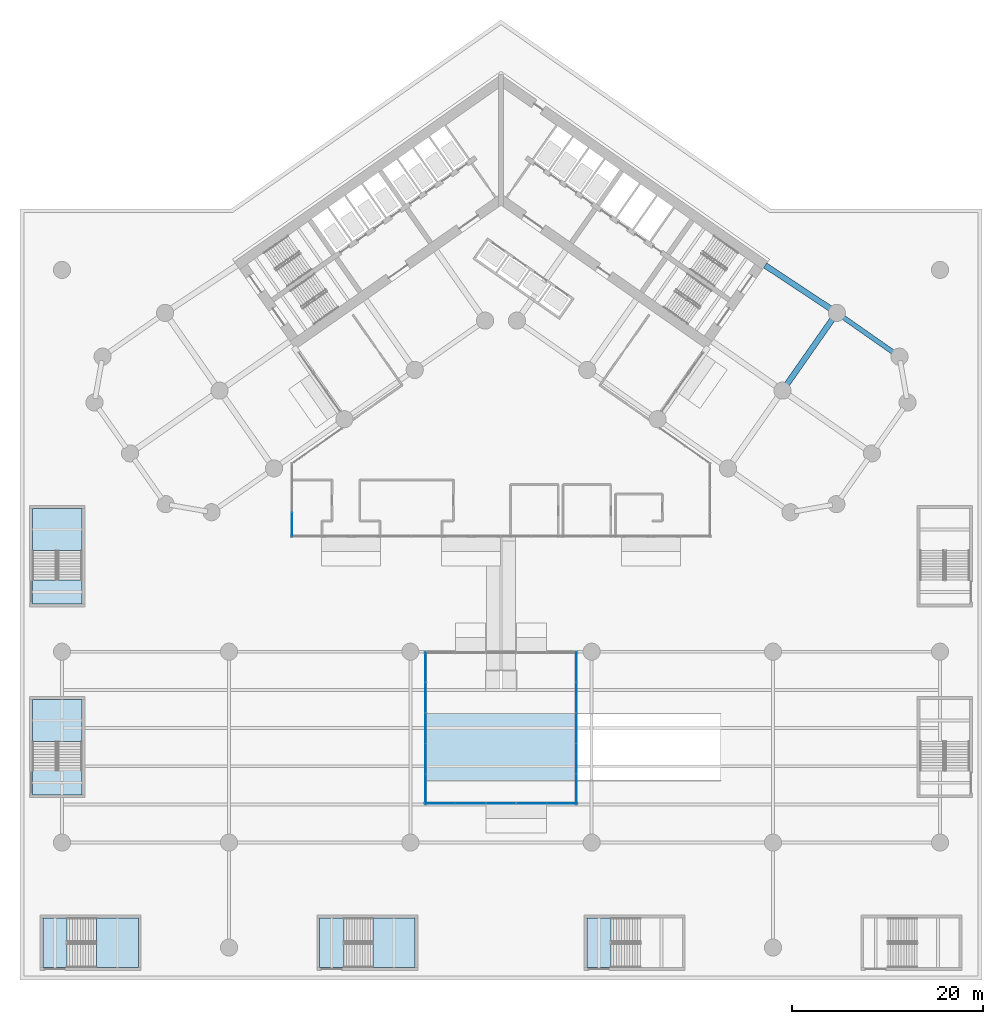
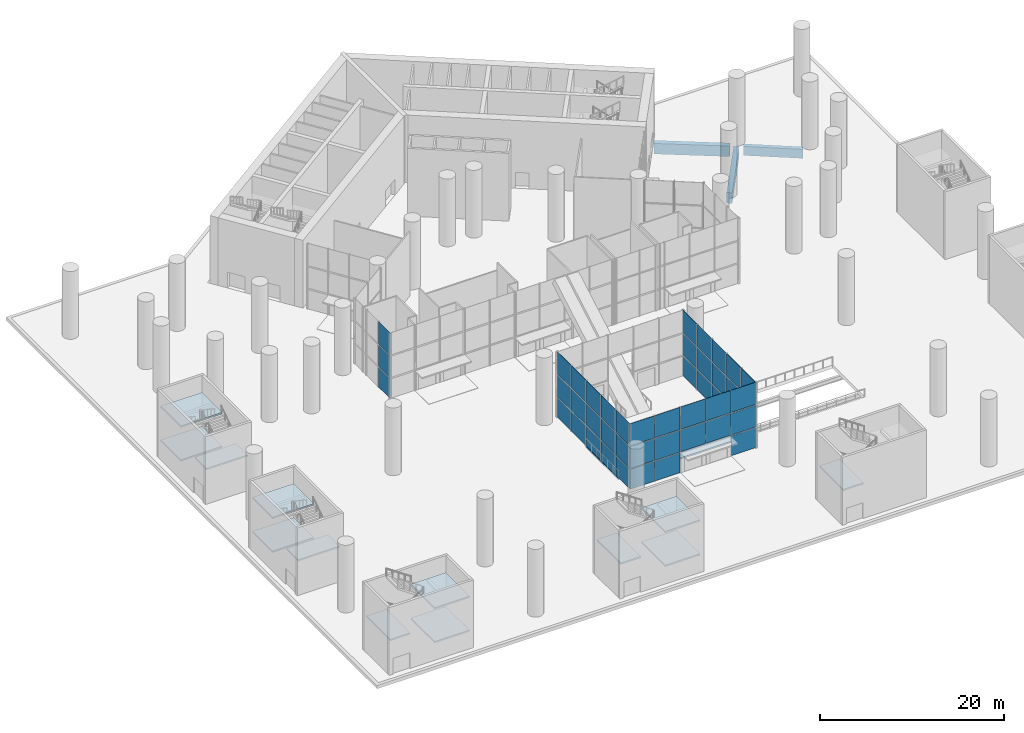
# One storey, part 13 of 37: 46 plates, 14 slabs, 3 beams, 9 elements without a shape of their own.
"""IFC4 building model written with IfcOpenShell, lengths in metres."""

from ifc_helpers import new_model, si_unit, direction, frame, origin, origin_2d, place, context, subcontext, project, spatial, polyline, rectangle, outline, extrude, material, layer, layer_set, material_profile, profile_set, type_object, element, aggregate, save


model = new_model("IFC4")

# Units and contexts
model_context = context("Model", 3, precision=1e-05, world=origin(), true_north=direction((0.0, 1.0)))
body_context = subcontext(model_context, "Body", "Model", "MODEL_VIEW")
ifc_project = project(units=[si_unit("LENGTHUNIT", "METRE"), si_unit("AREAUNIT", "SQUARE_METRE"), si_unit("VOLUMEUNIT", "CUBIC_METRE"), si_unit("PLANEANGLEUNIT", "RADIAN"), si_unit("MASSUNIT", "GRAM", prefix="KILO")], contexts=[model_context])

# Site, building, storey
site_placement = place(None, origin())
site = spatial("IfcSite", under=ifc_project, at=site_placement, CompositionType="ELEMENT")
building_placement = place(site_placement, origin())
building = spatial("IfcBuilding", under=site, at=building_placement, Name="Tel Ilan Convention Tower", CompositionType="ELEMENT")
storey_placement = place(building_placement, origin())
storey = spatial("IfcBuildingStorey", under=building, at=storey_placement, Name="L00", CompositionType="ELEMENT", Elevation=0.0)

# Beams
ifc_material_1 = material(Name="Concrete C40/50", Category="concrete")
ifc_material_profile_1 = material_profile(ifc_material_1, rectangle(XDim=0.5, YDim=1.199951171875, at=origin_2d()), Name="RC 500x1200")
ifc_profile_set_1 = profile_set([ifc_material_profile_1], Name="Concrete C40/50")
beam_type_1 = type_object("IfcBeamType", Name="Beam RC 500x1200 Concrete C40/50", PredefinedType="BEAM", material=ifc_profile_set_1)
beam_1_placement = place(storey_placement, frame((41.135498046875, -16.656494140625, -1.050048828125), z_axis=(-0.819178980414, 0.573537965655, 0.0), x_axis=(-0.573537965655, -0.819178980414, 0.0)))
element("IfcBeam", 1, at=beam_1_placement, inside=storey, type_object=beam_type_1, Name="L00 beam E-E-BC-E-B4", PredefinedType="BEAM", context=body_context, shape_type="SweptSolid", body=[
    extrude(rectangle(XDim=0.5, YDim=1.199951171875, at=origin_2d()), origin(), (0.0, 0.0, 1.0), 6.5),
])
ifc_material_2 = material(Name="Concrete C40/50", Category="concrete")
ifc_material_profile_2 = material_profile(ifc_material_2, rectangle(XDim=0.60009765625, YDim=1.39990234375, at=origin_2d()), Name="RC 600x1400")
ifc_profile_set_2 = profile_set([ifc_material_profile_2], Name="Concrete C40/50")
beam_type_2 = type_object("IfcBeamType", Name="Beam RC 600x1400 Concrete C40/50", PredefinedType="BEAM", material=ifc_profile_set_2)
beam_2_placement = place(storey_placement, frame((34.570556640625, -12.08447265625, -1.14990234375), z_axis=(-0.834273603487, 0.551350663847, 0.0), x_axis=(-0.551350663847, -0.834273603487, 0.0)))
element("IfcBeam", 2, at=beam_2_placement, inside=storey, type_object=beam_type_2, Name="L00 beam E-E-B4-core", PredefinedType="BEAM", context=body_context, shape_type="SweptSolid", body=[
    extrude(rectangle(XDim=0.60009765625, YDim=1.39990234375, at=origin_2d()), origin(), (0.0, 0.0, 1.0), 8.2529296875),
])
beam_3_placement = place(storey_placement, frame((29.9482421875, -19.993408203125, -1.14990234375), z_axis=(0.573577127921, 0.819151560046, 0.0), x_axis=(-0.819151560046, 0.573577127921, 0.0)))
element("IfcBeam", 3, at=beam_3_placement, inside=storey, type_object=beam_type_2, Name="L00 beam E-E-M4-E-B4", PredefinedType="BEAM", context=body_context, shape_type="SweptSolid", body=[
    extrude(rectangle(XDim=0.60009765625, YDim=1.39990234375, at=origin_2d()), origin(), (0.0, 0.0, 1.0), 8.85009765625),
])

# Curtain wall, plates
ifc_material_3 = material(Name="Aluminium, bronze anodised", Category="aluminium")
curtain_wall_type = type_object("IfcCurtainWallType", Name="CW6 LOBBY PAVILION CURTAIN WALL, CLEAR GLASS", PredefinedType="NOTDEFINED", material=ifc_material_3)
curtain_wall_1_placement = place(storey_placement, origin())
curtain_wall_1 = element("IfcCurtainWall", 4, at=curtain_wall_1_placement, inside=storey, type_object=curtain_wall_type, Name="Curtain wall CW6-03.01", PredefinedType="NOTDEFINED")
ifc_material_4 = material(Name="Glass, clear, two-ply", Category="glass")
ifc_layer_1 = layer(ifc_material_4, 0.028076171875)
ifc_layer_set_1 = layer_set([ifc_layer_1], Name="CW FOYER GLASS PANEL 28")
plate_type = type_object("IfcPlateType", Name="CW FOYER GLASS PANEL 28", PredefinedType="CURTAIN_PANEL", material=ifc_layer_set_1)
plate_1_placement = place(storey_placement, frame((-21.89990234375, -34.703857421875, 0.0), z_axis=(0.0, 0.0, 1.0), x_axis=(0.0, 1.0, 0.0)))
plate_1 = element("IfcPlate", 5, at=plate_1_placement, type_object=plate_type, Name="Glass panel", PredefinedType="CURTAIN_PANEL", context=body_context, shape_type="SweptSolid", body=[
    extrude(rectangle(XDim=2.532470703125, YDim=0.028076171875, at=origin_2d()), origin(), (0.0, 0.0, 1.0), 2.639892578125),
])
plate_2_placement = place(storey_placement, frame((-21.89990234375, -34.703857421875, 2.760009765625), z_axis=(0.0, 0.0, 1.0), x_axis=(0.0, 1.0, 0.0)))
plate_2 = element("IfcPlate", 6, at=plate_2_placement, type_object=plate_type, Name="Glass panel", PredefinedType="CURTAIN_PANEL", context=body_context, shape_type="SweptSolid", body=[
    extrude(rectangle(XDim=2.532470703125, YDim=0.028076171875, at=origin_2d()), origin(), (0.0, 0.0, 1.0), 2.8798828125),
])
plate_3_placement = place(storey_placement, frame((-21.89990234375, -34.703857421875, 5.760009765625), z_axis=(0.0, 0.0, 1.0), x_axis=(0.0, 1.0, 0.0)))
plate_3 = element("IfcPlate", 7, at=plate_3_placement, type_object=plate_type, Name="Glass panel", PredefinedType="CURTAIN_PANEL", context=body_context, shape_type="SweptSolid", body=[
    extrude(rectangle(XDim=2.532470703125, YDim=0.028076171875, at=origin_2d()), origin(), (0.0, 0.0, 1.0), 2.9599609375),
])
aggregate(curtain_wall_1, [plate_1, plate_2, plate_3])

curtain_wall_2_placement = place(storey_placement, origin())
curtain_wall_2 = element("IfcCurtainWall", 8, at=curtain_wall_2_placement, inside=storey, type_object=curtain_wall_type, Name="Curtain wall CW6-03.08", PredefinedType="NOTDEFINED")
plate_4_placement = place(storey_placement, frame((7.89990234375, -62.39990234375, 0.0), z_axis=(0.0, 0.0, 1.0), x_axis=(0.0, 1.0, 0.0)))
plate_4 = element("IfcPlate", 9, at=plate_4_placement, type_object=plate_type, Name="Glass panel", PredefinedType="CURTAIN_PANEL", context=body_context, shape_type="SweptSolid", body=[
    extrude(rectangle(XDim=3.139892578125, YDim=0.028076171875, at=origin_2d()), origin(), (0.0, 0.0, 1.0), 2.639892578125),
])
plate_5_placement = place(storey_placement, frame((7.89990234375, -62.39990234375, 2.760009765625), z_axis=(0.0, 0.0, 1.0), x_axis=(0.0, 1.0, 0.0)))
plate_5 = element("IfcPlate", 10, at=plate_5_placement, type_object=plate_type, Name="Glass panel", PredefinedType="CURTAIN_PANEL", context=body_context, shape_type="SweptSolid", body=[
    extrude(rectangle(XDim=3.139892578125, YDim=0.028076171875, at=origin_2d()), origin(), (0.0, 0.0, 1.0), 2.8798828125),
])
plate_6_placement = place(storey_placement, frame((7.89990234375, -62.39990234375, 5.760009765625), z_axis=(0.0, 0.0, 1.0), x_axis=(0.0, 1.0, 0.0)))
plate_6 = element("IfcPlate", 11, at=plate_6_placement, type_object=plate_type, Name="Glass panel", PredefinedType="CURTAIN_PANEL", context=body_context, shape_type="SweptSolid", body=[
    extrude(rectangle(XDim=3.139892578125, YDim=0.028076171875, at=origin_2d()), origin(), (0.0, 0.0, 1.0), 2.9599609375),
])
plate_7_placement = place(storey_placement, frame((7.89990234375, -59.199951171875, 0.0), z_axis=(0.0, 0.0, 1.0), x_axis=(0.0, 1.0, 0.0)))
plate_7 = element("IfcPlate", 12, at=plate_7_placement, type_object=plate_type, Name="Glass panel", PredefinedType="CURTAIN_PANEL", context=body_context, shape_type="SweptSolid", body=[
    extrude(rectangle(XDim=3.139892578125, YDim=0.028076171875, at=origin_2d()), origin(), (0.0, 0.0, 1.0), 2.639892578125),
])
plate_8_placement = place(storey_placement, frame((7.89990234375, -59.199951171875, 2.760009765625), z_axis=(0.0, 0.0, 1.0), x_axis=(0.0, 1.0, 0.0)))
plate_8 = element("IfcPlate", 13, at=plate_8_placement, type_object=plate_type, Name="Glass panel", PredefinedType="CURTAIN_PANEL", context=body_context, shape_type="SweptSolid", body=[
    extrude(rectangle(XDim=3.139892578125, YDim=0.028076171875, at=origin_2d()), origin(), (0.0, 0.0, 1.0), 2.8798828125),
])
plate_9_placement = place(storey_placement, frame((7.89990234375, -59.199951171875, 5.760009765625), z_axis=(0.0, 0.0, 1.0), x_axis=(0.0, 1.0, 0.0)))
plate_9 = element("IfcPlate", 14, at=plate_9_placement, type_object=plate_type, Name="Glass panel", PredefinedType="CURTAIN_PANEL", context=body_context, shape_type="SweptSolid", body=[
    extrude(rectangle(XDim=3.139892578125, YDim=0.028076171875, at=origin_2d()), origin(), (0.0, 0.0, 1.0), 2.9599609375),
])
plate_10_placement = place(storey_placement, frame((7.89990234375, -56.0, 0.0), z_axis=(0.0, 0.0, 1.0), x_axis=(0.0, 1.0, 0.0)))
plate_10 = element("IfcPlate", 15, at=plate_10_placement, type_object=plate_type, Name="Glass panel", PredefinedType="CURTAIN_PANEL", context=body_context, shape_type="SweptSolid", body=[
    extrude(rectangle(XDim=3.139892578125, YDim=0.028076171875, at=origin_2d()), origin(), (0.0, 0.0, 1.0), 2.639892578125),
])
plate_11_placement = place(storey_placement, frame((7.89990234375, -56.0, 2.760009765625), z_axis=(0.0, 0.0, 1.0), x_axis=(0.0, 1.0, 0.0)))
plate_11 = element("IfcPlate", 16, at=plate_11_placement, type_object=plate_type, Name="Glass panel", PredefinedType="CURTAIN_PANEL", context=body_context, shape_type="SweptSolid", body=[
    extrude(rectangle(XDim=3.139892578125, YDim=0.028076171875, at=origin_2d()), origin(), (0.0, 0.0, 1.0), 2.8798828125),
])
plate_12_placement = place(storey_placement, frame((7.89990234375, -56.0, 5.760009765625), z_axis=(0.0, 0.0, 1.0), x_axis=(0.0, 1.0, 0.0)))
plate_12 = element("IfcPlate", 17, at=plate_12_placement, type_object=plate_type, Name="Glass panel", PredefinedType="CURTAIN_PANEL", context=body_context, shape_type="SweptSolid", body=[
    extrude(rectangle(XDim=3.139892578125, YDim=0.028076171875, at=origin_2d()), origin(), (0.0, 0.0, 1.0), 2.9599609375),
])
plate_13_placement = place(storey_placement, frame((7.89990234375, -52.800048828125, 0.0), z_axis=(0.0, 0.0, 1.0), x_axis=(0.0, 1.0, 0.0)))
plate_13 = element("IfcPlate", 18, at=plate_13_placement, type_object=plate_type, Name="Glass panel", PredefinedType="CURTAIN_PANEL", context=body_context, shape_type="SweptSolid", body=[
    extrude(rectangle(XDim=3.139892578125, YDim=0.028076171875, at=origin_2d()), origin(), (0.0, 0.0, 1.0), 2.639892578125),
])
plate_14_placement = place(storey_placement, frame((7.89990234375, -52.800048828125, 2.760009765625), z_axis=(0.0, 0.0, 1.0), x_axis=(0.0, 1.0, 0.0)))
plate_14 = element("IfcPlate", 19, at=plate_14_placement, type_object=plate_type, Name="Glass panel", PredefinedType="CURTAIN_PANEL", context=body_context, shape_type="SweptSolid", body=[
    extrude(rectangle(XDim=3.139892578125, YDim=0.028076171875, at=origin_2d()), origin(), (0.0, 0.0, 1.0), 2.8798828125),
])
plate_15_placement = place(storey_placement, frame((7.89990234375, -52.800048828125, 5.760009765625), z_axis=(0.0, 0.0, 1.0), x_axis=(0.0, 1.0, 0.0)))
plate_15 = element("IfcPlate", 20, at=plate_15_placement, type_object=plate_type, Name="Glass panel", PredefinedType="CURTAIN_PANEL", context=body_context, shape_type="SweptSolid", body=[
    extrude(rectangle(XDim=3.139892578125, YDim=0.028076171875, at=origin_2d()), origin(), (0.0, 0.0, 1.0), 2.9599609375),
])
plate_16_placement = place(storey_placement, frame((7.89990234375, -49.60009765625, 0.0), z_axis=(0.0, 0.0, 1.0), x_axis=(0.0, 1.0, 0.0)))
plate_16 = element("IfcPlate", 21, at=plate_16_placement, type_object=plate_type, Name="Glass panel", PredefinedType="CURTAIN_PANEL", context=body_context, shape_type="SweptSolid", body=[
    extrude(rectangle(XDim=3.139892578125, YDim=0.028076171875, at=origin_2d()), origin(), (0.0, 0.0, 1.0), 2.639892578125),
])
plate_17_placement = place(storey_placement, frame((7.89990234375, -49.60009765625, 2.760009765625), z_axis=(0.0, 0.0, 1.0), x_axis=(0.0, 1.0, 0.0)))
plate_17 = element("IfcPlate", 22, at=plate_17_placement, type_object=plate_type, Name="Glass panel", PredefinedType="CURTAIN_PANEL", context=body_context, shape_type="SweptSolid", body=[
    extrude(rectangle(XDim=3.139892578125, YDim=0.028076171875, at=origin_2d()), origin(), (0.0, 0.0, 1.0), 2.8798828125),
])
plate_18_placement = place(storey_placement, frame((7.89990234375, -49.60009765625, 5.760009765625), z_axis=(0.0, 0.0, 1.0), x_axis=(0.0, 1.0, 0.0)))
plate_18 = element("IfcPlate", 23, at=plate_18_placement, type_object=plate_type, Name="Glass panel", PredefinedType="CURTAIN_PANEL", context=body_context, shape_type="SweptSolid", body=[
    extrude(rectangle(XDim=3.139892578125, YDim=0.028076171875, at=origin_2d()), origin(), (0.0, 0.0, 1.0), 2.9599609375),
])
aggregate(curtain_wall_2, [plate_4, plate_5, plate_6, plate_7, plate_8, plate_9, plate_10, plate_11, plate_12, plate_13, plate_14, plate_15, plate_16, plate_17, plate_18])

curtain_wall_3_placement = place(storey_placement, origin())
curtain_wall_3 = element("IfcCurtainWall", 24, at=curtain_wall_3_placement, inside=storey, type_object=curtain_wall_type, Name="Curtain wall CW6-03.10", PredefinedType="NOTDEFINED")
plate_19_placement = place(storey_placement, frame((-7.89990234375, -49.60009765625, 0.0), z_axis=(0.0, 0.0, 1.0), x_axis=(0.0, -1.0, 0.0)))
plate_19 = element("IfcPlate", 25, at=plate_19_placement, type_object=plate_type, Name="Glass panel", PredefinedType="CURTAIN_PANEL", context=body_context, shape_type="SweptSolid", body=[
    extrude(rectangle(XDim=3.139892578125, YDim=0.028076171875, at=origin_2d()), origin(), (0.0, 0.0, 1.0), 2.639892578125),
])
plate_20_placement = place(storey_placement, frame((-7.89990234375, -49.60009765625, 2.760009765625), z_axis=(0.0, 0.0, 1.0), x_axis=(0.0, -1.0, 0.0)))
plate_20 = element("IfcPlate", 26, at=plate_20_placement, type_object=plate_type, Name="Glass panel", PredefinedType="CURTAIN_PANEL", context=body_context, shape_type="SweptSolid", body=[
    extrude(rectangle(XDim=3.139892578125, YDim=0.028076171875, at=origin_2d()), origin(), (0.0, 0.0, 1.0), 2.8798828125),
])
plate_21_placement = place(storey_placement, frame((-7.89990234375, -49.60009765625, 5.760009765625), z_axis=(0.0, 0.0, 1.0), x_axis=(0.0, -1.0, 0.0)))
plate_21 = element("IfcPlate", 27, at=plate_21_placement, type_object=plate_type, Name="Glass panel", PredefinedType="CURTAIN_PANEL", context=body_context, shape_type="SweptSolid", body=[
    extrude(rectangle(XDim=3.139892578125, YDim=0.028076171875, at=origin_2d()), origin(), (0.0, 0.0, 1.0), 2.9599609375),
])
plate_22_placement = place(storey_placement, frame((-7.89990234375, -52.800048828125, 0.0), z_axis=(0.0, 0.0, 1.0), x_axis=(0.0, -1.0, 0.0)))
plate_22 = element("IfcPlate", 28, at=plate_22_placement, type_object=plate_type, Name="Glass panel", PredefinedType="CURTAIN_PANEL", context=body_context, shape_type="SweptSolid", body=[
    extrude(rectangle(XDim=3.139892578125, YDim=0.028076171875, at=origin_2d()), origin(), (0.0, 0.0, 1.0), 2.639892578125),
])
plate_23_placement = place(storey_placement, frame((-7.89990234375, -52.800048828125, 2.760009765625), z_axis=(0.0, 0.0, 1.0), x_axis=(0.0, -1.0, 0.0)))
plate_23 = element("IfcPlate", 29, at=plate_23_placement, type_object=plate_type, Name="Glass panel", PredefinedType="CURTAIN_PANEL", context=body_context, shape_type="SweptSolid", body=[
    extrude(rectangle(XDim=3.139892578125, YDim=0.028076171875, at=origin_2d()), origin(), (0.0, 0.0, 1.0), 2.8798828125),
])
plate_24_placement = place(storey_placement, frame((-7.89990234375, -52.800048828125, 5.760009765625), z_axis=(0.0, 0.0, 1.0), x_axis=(0.0, -1.0, 0.0)))
plate_24 = element("IfcPlate", 30, at=plate_24_placement, type_object=plate_type, Name="Glass panel", PredefinedType="CURTAIN_PANEL", context=body_context, shape_type="SweptSolid", body=[
    extrude(rectangle(XDim=3.139892578125, YDim=0.028076171875, at=origin_2d()), origin(), (0.0, 0.0, 1.0), 2.9599609375),
])
plate_25_placement = place(storey_placement, frame((-7.89990234375, -56.0, 0.0), z_axis=(0.0, 0.0, 1.0), x_axis=(0.0, -1.0, 0.0)))
plate_25 = element("IfcPlate", 31, at=plate_25_placement, type_object=plate_type, Name="Glass panel", PredefinedType="CURTAIN_PANEL", context=body_context, shape_type="SweptSolid", body=[
    extrude(rectangle(XDim=3.139892578125, YDim=0.028076171875, at=origin_2d()), origin(), (0.0, 0.0, 1.0), 2.639892578125),
])
plate_26_placement = place(storey_placement, frame((-7.89990234375, -56.0, 2.760009765625), z_axis=(0.0, 0.0, 1.0), x_axis=(0.0, -1.0, 0.0)))
plate_26 = element("IfcPlate", 32, at=plate_26_placement, type_object=plate_type, Name="Glass panel", PredefinedType="CURTAIN_PANEL", context=body_context, shape_type="SweptSolid", body=[
    extrude(rectangle(XDim=3.139892578125, YDim=0.028076171875, at=origin_2d()), origin(), (0.0, 0.0, 1.0), 2.8798828125),
])
plate_27_placement = place(storey_placement, frame((-7.89990234375, -56.0, 5.760009765625), z_axis=(0.0, 0.0, 1.0), x_axis=(0.0, -1.0, 0.0)))
plate_27 = element("IfcPlate", 33, at=plate_27_placement, type_object=plate_type, Name="Glass panel", PredefinedType="CURTAIN_PANEL", context=body_context, shape_type="SweptSolid", body=[
    extrude(rectangle(XDim=3.139892578125, YDim=0.028076171875, at=origin_2d()), origin(), (0.0, 0.0, 1.0), 2.9599609375),
])
plate_28_placement = place(storey_placement, frame((-7.89990234375, -59.199951171875, 0.0), z_axis=(0.0, 0.0, 1.0), x_axis=(0.0, -1.0, 0.0)))
plate_28 = element("IfcPlate", 34, at=plate_28_placement, type_object=plate_type, Name="Glass panel", PredefinedType="CURTAIN_PANEL", context=body_context, shape_type="SweptSolid", body=[
    extrude(rectangle(XDim=3.139892578125, YDim=0.028076171875, at=origin_2d()), origin(), (0.0, 0.0, 1.0), 2.639892578125),
])
plate_29_placement = place(storey_placement, frame((-7.89990234375, -59.199951171875, 2.760009765625), z_axis=(0.0, 0.0, 1.0), x_axis=(0.0, -1.0, 0.0)))
plate_29 = element("IfcPlate", 35, at=plate_29_placement, type_object=plate_type, Name="Glass panel", PredefinedType="CURTAIN_PANEL", context=body_context, shape_type="SweptSolid", body=[
    extrude(rectangle(XDim=3.139892578125, YDim=0.028076171875, at=origin_2d()), origin(), (0.0, 0.0, 1.0), 2.8798828125),
])
plate_30_placement = place(storey_placement, frame((-7.89990234375, -59.199951171875, 5.760009765625), z_axis=(0.0, 0.0, 1.0), x_axis=(0.0, -1.0, 0.0)))
plate_30 = element("IfcPlate", 36, at=plate_30_placement, type_object=plate_type, Name="Glass panel", PredefinedType="CURTAIN_PANEL", context=body_context, shape_type="SweptSolid", body=[
    extrude(rectangle(XDim=3.139892578125, YDim=0.028076171875, at=origin_2d()), origin(), (0.0, 0.0, 1.0), 2.9599609375),
])
plate_31_placement = place(storey_placement, frame((-7.89990234375, -62.39990234375, 0.0), z_axis=(0.0, 0.0, 1.0), x_axis=(0.0, -1.0, 0.0)))
plate_31 = element("IfcPlate", 37, at=plate_31_placement, type_object=plate_type, Name="Glass panel", PredefinedType="CURTAIN_PANEL", context=body_context, shape_type="SweptSolid", body=[
    extrude(rectangle(XDim=3.139892578125, YDim=0.028076171875, at=origin_2d()), origin(), (0.0, 0.0, 1.0), 2.639892578125),
])
plate_32_placement = place(storey_placement, frame((-7.89990234375, -62.39990234375, 2.760009765625), z_axis=(0.0, 0.0, 1.0), x_axis=(0.0, -1.0, 0.0)))
plate_32 = element("IfcPlate", 38, at=plate_32_placement, type_object=plate_type, Name="Glass panel", PredefinedType="CURTAIN_PANEL", context=body_context, shape_type="SweptSolid", body=[
    extrude(rectangle(XDim=3.139892578125, YDim=0.028076171875, at=origin_2d()), origin(), (0.0, 0.0, 1.0), 2.8798828125),
])
plate_33_placement = place(storey_placement, frame((-7.89990234375, -62.39990234375, 5.760009765625), z_axis=(0.0, 0.0, 1.0), x_axis=(0.0, -1.0, 0.0)))
plate_33 = element("IfcPlate", 39, at=plate_33_placement, type_object=plate_type, Name="Glass panel", PredefinedType="CURTAIN_PANEL", context=body_context, shape_type="SweptSolid", body=[
    extrude(rectangle(XDim=3.139892578125, YDim=0.028076171875, at=origin_2d()), origin(), (0.0, 0.0, 1.0), 2.9599609375),
])
aggregate(curtain_wall_3, [plate_19, plate_20, plate_21, plate_22, plate_23, plate_24, plate_25, plate_26, plate_27, plate_28, plate_29, plate_30, plate_31, plate_32, plate_33])

curtain_wall_4_placement = place(storey_placement, origin())
curtain_wall_4 = element("IfcCurtainWall", 40, at=curtain_wall_4_placement, inside=storey, type_object=curtain_wall_type, Name="Curtain wall CW6-03.11", PredefinedType="NOTDEFINED")
plate_34_placement = place(storey_placement, frame((-6.39990234375, -63.89990234375, 0.0), z_axis=(0.0, 0.0, 1.0), x_axis=(1.0, 0.0, 0.0)))
plate_34 = element("IfcPlate", 41, at=plate_34_placement, type_object=plate_type, Name="Glass panel", PredefinedType="CURTAIN_PANEL", context=body_context, shape_type="SweptSolid", body=[
    extrude(rectangle(XDim=3.139892578125, YDim=0.028076171875, at=origin_2d()), origin(), (0.0, 0.0, 1.0), 2.639892578125),
])
plate_35_placement = place(storey_placement, frame((-6.39990234375, -63.89990234375, 2.760009765625), z_axis=(0.0, 0.0, 1.0), x_axis=(1.0, 0.0, 0.0)))
plate_35 = element("IfcPlate", 42, at=plate_35_placement, type_object=plate_type, Name="Glass panel", PredefinedType="CURTAIN_PANEL", context=body_context, shape_type="SweptSolid", body=[
    extrude(rectangle(XDim=3.139892578125, YDim=0.028076171875, at=origin_2d()), origin(), (0.0, 0.0, 1.0), 2.8798828125),
])
plate_36_placement = place(storey_placement, frame((-6.39990234375, -63.89990234375, 5.760009765625), z_axis=(0.0, 0.0, 1.0), x_axis=(1.0, 0.0, 0.0)))
plate_36 = element("IfcPlate", 43, at=plate_36_placement, type_object=plate_type, Name="Glass panel", PredefinedType="CURTAIN_PANEL", context=body_context, shape_type="SweptSolid", body=[
    extrude(rectangle(XDim=3.139892578125, YDim=0.028076171875, at=origin_2d()), origin(), (0.0, 0.0, 1.0), 2.9599609375),
])
plate_37_placement = place(storey_placement, frame((-3.199951171875, -63.89990234375, 0.0), z_axis=(0.0, 0.0, 1.0), x_axis=(1.0, 0.0, 0.0)))
plate_37 = element("IfcPlate", 44, at=plate_37_placement, type_object=plate_type, Name="Glass panel", PredefinedType="CURTAIN_PANEL", context=body_context, shape_type="SweptSolid", body=[
    extrude(rectangle(XDim=3.139892578125, YDim=0.028076171875, at=origin_2d()), origin(), (0.0, 0.0, 1.0), 2.639892578125),
])
plate_38_placement = place(storey_placement, frame((-3.199951171875, -63.89990234375, 2.760009765625), z_axis=(0.0, 0.0, 1.0), x_axis=(1.0, 0.0, 0.0)))
plate_38 = element("IfcPlate", 45, at=plate_38_placement, type_object=plate_type, Name="Glass panel", PredefinedType="CURTAIN_PANEL", context=body_context, shape_type="SweptSolid", body=[
    extrude(rectangle(XDim=3.139892578125, YDim=0.028076171875, at=origin_2d()), origin(), (0.0, 0.0, 1.0), 2.8798828125),
])
plate_39_placement = place(storey_placement, frame((-3.199951171875, -63.89990234375, 5.760009765625), z_axis=(0.0, 0.0, 1.0), x_axis=(1.0, 0.0, 0.0)))
plate_39 = element("IfcPlate", 46, at=plate_39_placement, type_object=plate_type, Name="Glass panel", PredefinedType="CURTAIN_PANEL", context=body_context, shape_type="SweptSolid", body=[
    extrude(rectangle(XDim=3.139892578125, YDim=0.028076171875, at=origin_2d()), origin(), (0.0, 0.0, 1.0), 2.9599609375),
])
plate_40_placement = place(storey_placement, frame((0.0, -63.89990234375, 2.760009765625), z_axis=(0.0, 0.0, 1.0), x_axis=(1.0, 0.0, 0.0)))
plate_40 = element("IfcPlate", 47, at=plate_40_placement, type_object=plate_type, Name="Glass panel", PredefinedType="CURTAIN_PANEL", context=body_context, shape_type="SweptSolid", body=[
    extrude(rectangle(XDim=3.139892578125, YDim=0.028076171875, at=origin_2d()), origin(), (0.0, 0.0, 1.0), 2.8798828125),
])
plate_41_placement = place(storey_placement, frame((0.0, -63.89990234375, 5.760009765625), z_axis=(0.0, 0.0, 1.0), x_axis=(1.0, 0.0, 0.0)))
plate_41 = element("IfcPlate", 48, at=plate_41_placement, type_object=plate_type, Name="Glass panel", PredefinedType="CURTAIN_PANEL", context=body_context, shape_type="SweptSolid", body=[
    extrude(rectangle(XDim=3.139892578125, YDim=0.028076171875, at=origin_2d()), origin(), (0.0, 0.0, 1.0), 2.9599609375),
])
plate_42_placement = place(storey_placement, frame((3.199951171875, -63.89990234375, 2.760009765625), z_axis=(0.0, 0.0, 1.0), x_axis=(1.0, 0.0, 0.0)))
plate_42 = element("IfcPlate", 49, at=plate_42_placement, type_object=plate_type, Name="Glass panel", PredefinedType="CURTAIN_PANEL", context=body_context, shape_type="SweptSolid", body=[
    extrude(rectangle(XDim=3.139892578125, YDim=0.028076171875, at=origin_2d()), origin(), (0.0, 0.0, 1.0), 2.8798828125),
])
plate_43_placement = place(storey_placement, frame((3.199951171875, -63.89990234375, 5.760009765625), z_axis=(0.0, 0.0, 1.0), x_axis=(1.0, 0.0, 0.0)))
plate_43 = element("IfcPlate", 50, at=plate_43_placement, type_object=plate_type, Name="Glass panel", PredefinedType="CURTAIN_PANEL", context=body_context, shape_type="SweptSolid", body=[
    extrude(rectangle(XDim=3.139892578125, YDim=0.028076171875, at=origin_2d()), origin(), (0.0, 0.0, 1.0), 2.9599609375),
])
plate_44_placement = place(storey_placement, frame((6.39990234375, -63.89990234375, 0.0), z_axis=(0.0, 0.0, 1.0), x_axis=(1.0, 0.0, 0.0)))
plate_44 = element("IfcPlate", 51, at=plate_44_placement, type_object=plate_type, Name="Glass panel", PredefinedType="CURTAIN_PANEL", context=body_context, shape_type="SweptSolid", body=[
    extrude(rectangle(XDim=3.139892578125, YDim=0.028076171875, at=origin_2d()), origin(), (0.0, 0.0, 1.0), 2.639892578125),
])
plate_45_placement = place(storey_placement, frame((6.39990234375, -63.89990234375, 2.760009765625), z_axis=(0.0, 0.0, 1.0), x_axis=(1.0, 0.0, 0.0)))
plate_45 = element("IfcPlate", 52, at=plate_45_placement, type_object=plate_type, Name="Glass panel", PredefinedType="CURTAIN_PANEL", context=body_context, shape_type="SweptSolid", body=[
    extrude(rectangle(XDim=3.139892578125, YDim=0.028076171875, at=origin_2d()), origin(), (0.0, 0.0, 1.0), 2.8798828125),
])
plate_46_placement = place(storey_placement, frame((6.39990234375, -63.89990234375, 5.760009765625), z_axis=(0.0, 0.0, 1.0), x_axis=(1.0, 0.0, 0.0)))
plate_46 = element("IfcPlate", 53, at=plate_46_placement, type_object=plate_type, Name="Glass panel", PredefinedType="CURTAIN_PANEL", context=body_context, shape_type="SweptSolid", body=[
    extrude(rectangle(XDim=3.139892578125, YDim=0.028076171875, at=origin_2d()), origin(), (0.0, 0.0, 1.0), 2.9599609375),
])
aggregate(curtain_wall_4, [plate_34, plate_35, plate_36, plate_37, plate_38, plate_39, plate_40, plate_41, plate_42, plate_43, plate_44, plate_45, plate_46])

# Stair, slabs
ifc_material_5 = material(Name="Concrete C40/50", Category="concrete")
stair_type = type_object("IfcStairType", Name="Pressurised Exit Stair 48 risers 188 mm", PredefinedType="HALF_TURN_STAIR", material=ifc_material_5)
stair_1_placement = place(storey_placement, origin())
stair_1 = element("IfcStair", 54, at=stair_1_placement, inside=storey, type_object=stair_type, Name="L00 Podium Exit Stair P1", PredefinedType="HALF_TURN_STAIR")
ifc_material_6 = material(Name="Concrete C40/50", Category="concrete")
ifc_layer_2 = layer(ifc_material_6, 0.199951171875)
ifc_layer_set_2 = layer_set([ifc_layer_2], Name="Concrete Stair Landing 200 mm C40/50")
slab_type_1 = type_object("IfcSlabType", Name="Concrete Stair Landing 200 mm", PredefinedType="LANDING", material=ifc_layer_set_2)
slab_1_placement = place(storey_placement, frame((0.0, 0.0, 2.050048828125)))
slab_1 = element("IfcSlab", 55, at=slab_1_placement, type_object=slab_type_1, Name="P1 landing 1", PredefinedType="LANDING", context=body_context, shape_type="SweptSolid", body=[
    extrude(outline(polyline([(-42.395751953125, -81.10009765625), (-38.0, -81.10009765625), (-38.0, -75.89990234375), (-42.395751953125, -75.89990234375), (-42.395751953125, -81.10009765625)])), origin(), (0.0, 0.0, 1.0), 0.199951171875),
])
slab_2_placement = place(storey_placement, frame((0.0, 0.0, 4.300048828125)))
slab_2 = element("IfcSlab", 56, at=slab_2_placement, type_object=slab_type_1, Name="P1 landing 2", PredefinedType="LANDING", context=body_context, shape_type="SweptSolid", body=[
    extrude(outline(polyline([(-48.0, -81.10009765625), (-45.47412109375, -81.10009765625), (-45.47412109375, -75.89990234375), (-48.0, -75.89990234375), (-48.0, -81.10009765625)])), origin(), (0.0, 0.0, 1.0), 0.199951171875),
])
slab_3_placement = place(storey_placement, frame((0.0, 0.0, 6.550048828125)))
slab_3 = element("IfcSlab", 57, at=slab_3_placement, type_object=slab_type_1, Name="P1 landing 3", PredefinedType="LANDING", context=body_context, shape_type="SweptSolid", body=[
    extrude(outline(polyline([(-42.395751953125, -81.10009765625), (-38.0, -81.10009765625), (-38.0, -75.89990234375), (-42.395751953125, -75.89990234375), (-42.395751953125, -81.10009765625)])), origin(), (0.0, 0.0, 1.0), 0.199951171875),
])
aggregate(stair_1, [slab_1, slab_2, slab_3])

stair_2_placement = place(storey_placement, origin())
stair_2 = element("IfcStair", 58, at=stair_2_placement, inside=storey, type_object=stair_type, Name="L00 Podium Exit Stair P2", PredefinedType="HALF_TURN_STAIR")
slab_4_placement = place(storey_placement, frame((0.0, 0.0, 2.050048828125)))
slab_4 = element("IfcSlab", 59, at=slab_4_placement, type_object=slab_type_1, Name="P2 landing 1", PredefinedType="LANDING", context=body_context, shape_type="SweptSolid", body=[
    extrude(outline(polyline([(-13.395751953125, -81.10009765625), (-9.0, -81.10009765625), (-9.0, -75.89990234375), (-13.395751953125, -75.89990234375), (-13.395751953125, -81.10009765625)])), origin(), (0.0, 0.0, 1.0), 0.199951171875),
])
slab_5_placement = place(storey_placement, frame((0.0, 0.0, 4.300048828125)))
slab_5 = element("IfcSlab", 60, at=slab_5_placement, type_object=slab_type_1, Name="P2 landing 2", PredefinedType="LANDING", context=body_context, shape_type="SweptSolid", body=[
    extrude(outline(polyline([(-19.0, -81.10009765625), (-16.47412109375, -81.10009765625), (-16.47412109375, -75.89990234375), (-19.0, -75.89990234375), (-19.0, -81.10009765625)])), origin(), (0.0, 0.0, 1.0), 0.199951171875),
])
slab_6_placement = place(storey_placement, frame((0.0, 0.0, 6.550048828125)))
slab_6 = element("IfcSlab", 61, at=slab_6_placement, type_object=slab_type_1, Name="P2 landing 3", PredefinedType="LANDING", context=body_context, shape_type="SweptSolid", body=[
    extrude(outline(polyline([(-13.395751953125, -81.10009765625), (-9.0, -81.10009765625), (-9.0, -75.89990234375), (-13.395751953125, -75.89990234375), (-13.395751953125, -81.10009765625)])), origin(), (0.0, 0.0, 1.0), 0.199951171875),
])
aggregate(stair_2, [slab_4, slab_5, slab_6])

# Stair, slab
stair_3_placement = place(storey_placement, origin())
stair_3 = element("IfcStair", 62, at=stair_3_placement, inside=storey, type_object=stair_type, Name="L00 Podium Exit Stair P3", PredefinedType="HALF_TURN_STAIR")
slab_7_placement = place(storey_placement, frame((0.0, 0.0, 4.300048828125)))
slab_7 = element("IfcSlab", 63, at=slab_7_placement, type_object=slab_type_1, Name="P3 landing 2", PredefinedType="LANDING", context=body_context, shape_type="SweptSolid", body=[
    extrude(outline(polyline([(9.0, -81.10009765625), (11.52587890625, -81.10009765625), (11.52587890625, -75.89990234375), (9.0, -75.89990234375), (9.0, -81.10009765625)])), origin(), (0.0, 0.0, 1.0), 0.199951171875),
])
aggregate(stair_3, [slab_7])

# Stair, slabs
stair_4_placement = place(storey_placement, origin())
stair_4 = element("IfcStair", 64, at=stair_4_placement, inside=storey, type_object=stair_type, Name="L00 Podium Exit Stair P5", PredefinedType="HALF_TURN_STAIR")
slab_8_placement = place(storey_placement, frame((0.0, 0.0, 2.050048828125)))
slab_8 = element("IfcSlab", 65, at=slab_8_placement, type_object=slab_type_1, Name="P5 landing 1", PredefinedType="LANDING", context=body_context, shape_type="SweptSolid", body=[
    extrude(outline(polyline([(-43.89990234375, -57.395751953125), (-43.89990234375, -53.0), (-49.10009765625, -53.0), (-49.10009765625, -57.395751953125), (-43.89990234375, -57.395751953125)])), origin(), (0.0, 0.0, 1.0), 0.199951171875),
])
slab_9_placement = place(storey_placement, frame((0.0, 0.0, 4.300048828125)))
slab_9 = element("IfcSlab", 66, at=slab_9_placement, type_object=slab_type_1, Name="P5 landing 2", PredefinedType="LANDING", context=body_context, shape_type="SweptSolid", body=[
    extrude(outline(polyline([(-43.89990234375, -63.0), (-43.89990234375, -60.47412109375), (-49.10009765625, -60.47412109375), (-49.10009765625, -63.0), (-43.89990234375, -63.0)])), origin(), (0.0, 0.0, 1.0), 0.199951171875),
])
slab_10_placement = place(storey_placement, frame((0.0, 0.0, 6.550048828125)))
slab_10 = element("IfcSlab", 67, at=slab_10_placement, type_object=slab_type_1, Name="P5 landing 3", PredefinedType="LANDING", context=body_context, shape_type="SweptSolid", body=[
    extrude(outline(polyline([(-43.89990234375, -57.395751953125), (-43.89990234375, -53.0), (-49.10009765625, -53.0), (-49.10009765625, -57.395751953125), (-43.89990234375, -57.395751953125)])), origin(), (0.0, 0.0, 1.0), 0.199951171875),
])
aggregate(stair_4, [slab_8, slab_9, slab_10])

stair_5_placement = place(storey_placement, origin())
stair_5 = element("IfcStair", 68, at=stair_5_placement, inside=storey, type_object=stair_type, Name="L00 Podium Exit Stair P7", PredefinedType="HALF_TURN_STAIR")
slab_11_placement = place(storey_placement, frame((0.0, 0.0, 2.050048828125)))
slab_11 = element("IfcSlab", 69, at=slab_11_placement, type_object=slab_type_1, Name="P7 landing 1", PredefinedType="LANDING", context=body_context, shape_type="SweptSolid", body=[
    extrude(outline(polyline([(-43.89990234375, -37.395751953125), (-43.89990234375, -33.0), (-49.10009765625, -33.0), (-49.10009765625, -37.395751953125), (-43.89990234375, -37.395751953125)])), origin(), (0.0, 0.0, 1.0), 0.199951171875),
])
slab_12_placement = place(storey_placement, frame((0.0, 0.0, 4.300048828125)))
slab_12 = element("IfcSlab", 70, at=slab_12_placement, type_object=slab_type_1, Name="P7 landing 2", PredefinedType="LANDING", context=body_context, shape_type="SweptSolid", body=[
    extrude(outline(polyline([(-43.89990234375, -43.0), (-43.89990234375, -40.47412109375), (-49.10009765625, -40.47412109375), (-49.10009765625, -43.0), (-43.89990234375, -43.0)])), origin(), (0.0, 0.0, 1.0), 0.199951171875),
])
slab_13_placement = place(storey_placement, frame((0.0, 0.0, 6.550048828125)))
slab_13 = element("IfcSlab", 71, at=slab_13_placement, type_object=slab_type_1, Name="P7 landing 3", PredefinedType="LANDING", context=body_context, shape_type="SweptSolid", body=[
    extrude(outline(polyline([(-43.89990234375, -37.395751953125), (-43.89990234375, -33.0), (-49.10009765625, -33.0), (-49.10009765625, -37.395751953125), (-43.89990234375, -37.395751953125)])), origin(), (0.0, 0.0, 1.0), 0.199951171875),
])
aggregate(stair_5, [slab_11, slab_12, slab_13])

# Slab
ifc_material_7 = material(Name="Concrete C30/37", Category="concrete")
ifc_layer_3 = layer(ifc_material_7, 0.199951171875)
ifc_layer_set_3 = layer_set([ifc_layer_3], Name="PAVILION GROUND SLAB 200 C30/37")
slab_type_2 = type_object("IfcSlabType", Name="PAVILION GROUND SLAB 200", PredefinedType="BASESLAB", material=ifc_layer_set_3)
slab_14_placement = place(storey_placement, frame((0.0, 0.0, -0.199951171875)))
element("IfcSlab", 72, at=slab_14_placement, inside=storey, type_object=slab_type_2, Name="Cafe pavilion ground slab", PredefinedType="BASESLAB", context=body_context, shape_type="SweptSolid", body=[
    extrude(outline(polyline([(-8.0, -61.5), (-8.0, -54.5), (8.0, -54.5), (8.0, -61.5), (-8.0, -61.5)])), origin(), (0.0, 0.0, 1.0), 0.199951171875),
])

save(model, "model.ifc")
